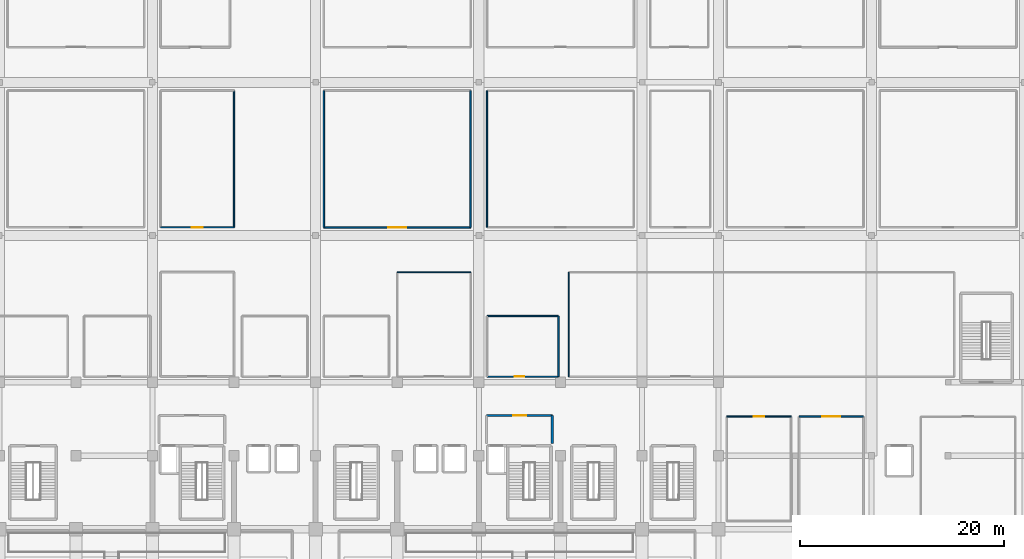
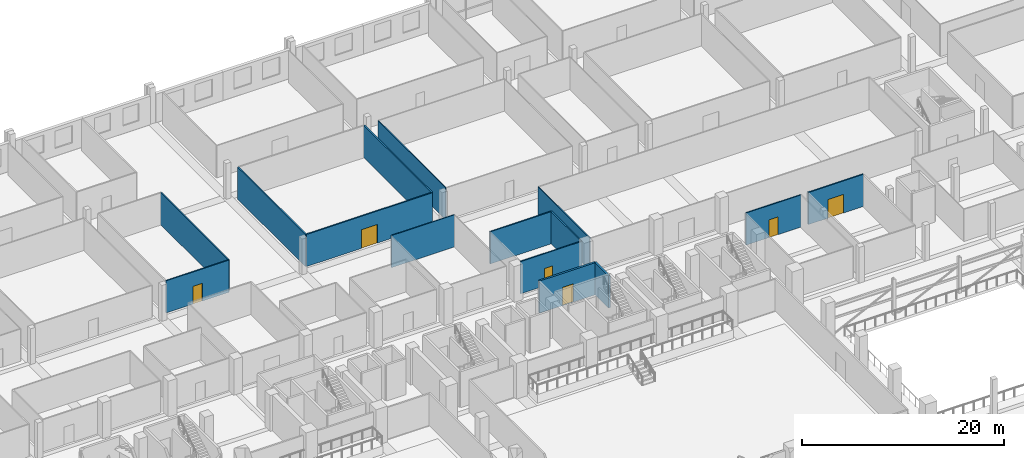
# One storey, part 49 of 68: 15 walls, 6 doors, 6 openings.
"""IFC4 building model written with IfcOpenShell, lengths in metres."""

from ifc_helpers import new_model, si_unit, direction, frame, frame_2d, origin, place, context, subcontext, project, spatial, rectangle, extrude, material, layer, layer_set, type_object, element, fill, save


model = new_model("IFC4")

# Units and contexts
model_context = context("Model", 3, precision=1e-05, world=origin(), true_north=direction((0.0, 1.0)))
body_context = subcontext(model_context, "Body", "Model", "MODEL_VIEW")
ifc_project = project(units=[si_unit("LENGTHUNIT", "METRE"), si_unit("AREAUNIT", "SQUARE_METRE"), si_unit("VOLUMEUNIT", "CUBIC_METRE"), si_unit("PLANEANGLEUNIT", "RADIAN"), si_unit("MASSUNIT", "GRAM", prefix="KILO")], contexts=[model_context])

# Site, building, storey
site_placement = place(None, origin())
site = spatial("IfcSite", under=ifc_project, at=site_placement, CompositionType="ELEMENT")
building_placement = place(site_placement, origin())
building = spatial("IfcBuilding", under=site, at=building_placement, Name="Akrevak Sports Hall", CompositionType="ELEMENT")
storey_placement = place(building_placement, frame((0.0, 0.0, 9.39990234375)))
storey = spatial("IfcBuildingStorey", under=building, at=storey_placement, Name="L02", CompositionType="ELEMENT", Elevation=9.39990234375)

# Walls
ifc_material_1 = material(Name="Sanitary Cubicle Partition", Category="gypsum")
ifc_layer_1 = layer(ifc_material_1, 0.10009765625, Name="Sanitary Cubicle Partition")
ifc_layer_set_1 = layer_set([ifc_layer_1], Name="Sanitary Cubicle Partition")
wall_type_1 = type_object("IfcWallType", Name="ARC-WL-PRT-100", PredefinedType="PARTITIONING", material=ifc_layer_set_1)
wall_1_placement = place(storey_placement, frame((92.800048828125, 84.800048828125, 0.0), z_axis=(0.0, 0.0, 1.0), x_axis=(0.0, 1.0, 0.0)))
element("IfcWall", 1, at=wall_1_placement, inside=storey, type_object=wall_type_1, Name="Interior Partition Sports Federation Training Office L02-8 (W)", PredefinedType="PARTITIONING", context=body_context, shape_type="SweptSolid", body=[
    extrude(rectangle(XDim=13.39990234375, YDim=0.10009765625, at=frame_2d((6.699951171875, 0.0))), origin(), (0.0, 0.0, 1.0), 3.880126953125),
])
wall_2_placement = place(storey_placement, frame((84.0, 80.39990234375, 0.0), z_axis=(0.0, 0.0, 1.0), x_axis=(1.0, 0.0, 0.0)))
element("IfcWall", 2, at=wall_2_placement, inside=storey, type_object=wall_type_1, Name="Interior Partition Upper Equipment Storage L02-2 (N)", PredefinedType="PARTITIONING", context=body_context, shape_type="SweptSolid", body=[
    extrude(rectangle(XDim=7.199951171875, YDim=0.10009765625, at=frame_2d((3.60009765625, 0.0))), origin(), (0.0, 0.0, 1.0), 3.880126953125),
])
ifc_material_2 = material(Name="Lightweight Office Partition", Category="gypsum")
ifc_layer_2 = layer(ifc_material_2, 0.110107421875, Name="Lightweight Office Partition")
ifc_layer_set_2 = layer_set([ifc_layer_2], Name="Lightweight Office Partition")
wall_type_2 = type_object("IfcWallType", Name="ARC-WL-PRT-110", PredefinedType="PARTITIONING", material=ifc_layer_set_2)
wall_3_placement = place(storey_placement, frame((100.800048828125, 70.14990234375, 0.0), z_axis=(0.0, 0.0, 1.0), x_axis=(0.0, 1.0, 0.0)))
element("IfcWall", 3, at=wall_3_placement, inside=storey, type_object=wall_type_2, Name="Interior Partition Upper Equipment Storage L02-3 (W)", PredefinedType="PARTITIONING", context=body_context, shape_type="SweptSolid", body=[
    extrude(rectangle(XDim=10.25, YDim=0.110107421875, at=frame_2d((5.125, 0.0))), origin(), (0.0, 0.0, 1.0), 3.880126953125),
])

# Wall, opening, door
ifc_material_3 = material(Name="Acoustic Metal Stud Partition", Category="gypsum")
ifc_layer_3 = layer(ifc_material_3, 0.1298828125, Name="Acoustic Metal Stud Partition")
ifc_layer_set_3 = layer_set([ifc_layer_3], Name="Acoustic Metal Stud Partition")
wall_type_3 = type_object("IfcWallType", Name="ARC-WL-PRT-130", PredefinedType="PARTITIONING", material=ifc_layer_set_3)
wall_4_placement = place(storey_placement, frame((60.800048828125, 84.800048828125, 0.0), z_axis=(0.0, 0.0, 1.0), x_axis=(1.0, 0.0, 0.0)))
wall_4 = element("IfcWall", 4, at=wall_4_placement, inside=storey, type_object=wall_type_3, Name="Interior Partition Sports Clinic Recovery & Physiotherapy Room L02-6 (S)", PredefinedType="PARTITIONING", context=body_context, shape_type="SweptSolid", body=[
    extrude(rectangle(XDim=7.199951171875, YDim=0.1298828125, at=frame_2d((3.60009765625, 0.0))), origin(), (0.0, 0.0, 1.0), 3.880126953125),
])
opening_1_placement = place(wall_4_placement, frame((3.074951171875, 0.0, 0.0)))
opening_1 = element("IfcOpeningElement", 5, at=opening_1_placement, cuts=wall_4, Name="Opening ID-05", PredefinedType="OPENING", context=body_context, shape_type="SweptSolid", body=[
    extrude(rectangle(XDim=1.050048828125, YDim=2.14990234375, at=frame_2d((0.52490234375, 1.074951171875))), frame((0.0, 0.076904296875, 0.0), z_axis=(0.0, -1.0, 0.0), x_axis=(1.0, 0.0, 0.0)), (0.0, 0.0, 1.0), 0.15380859375),
])
ifc_material_4 = material(Name="Hardwood Oak Acoustic Leaf", Category="wood")
door_type_1 = type_object("IfcDoorType", Name="ARC-DR-OFF-105x215", OperationType="NOTDEFINED", PredefinedType="DOOR", material=ifc_material_4)
door_1_placement = place(opening_1_placement, origin())
door_1 = element("IfcDoor", 6, at=door_1_placement, inside=storey, type_object=door_type_1, Name="Door to Sports Clinic Recovery & Physiotherapy Room L02-6", OperationType="SINGLE_SWING_LEFT", OverallHeight=2.14990234375, OverallWidth=1.050048828125, PredefinedType="DOOR", context=body_context, shape_type="SweptSolid", body=[
    extrude(rectangle(XDim=1.050048828125, YDim=2.14990234375, at=frame_2d((0.52490234375, 1.074951171875))), frame((0.0, 0.02490234375, 0.0), z_axis=(0.0, -1.0, 0.0), x_axis=(1.0, 0.0, 0.0)), (0.0, 0.0, 1.0), 0.050048828125),
])
fill(opening_1, door_1)

# Wall
wall_5_placement = place(storey_placement, frame((68.0, 84.800048828125, 0.0), z_axis=(0.0, 0.0, 1.0), x_axis=(0.0, 1.0, 0.0)))
element("IfcWall", 7, at=wall_5_placement, inside=storey, type_object=wall_type_3, Name="Interior Partition Sports Clinic Recovery & Physiotherapy Room L02-6 (E)", PredefinedType="PARTITIONING", context=body_context, shape_type="SweptSolid", body=[
    extrude(rectangle(XDim=13.39990234375, YDim=0.1298828125, at=frame_2d((6.699951171875, 0.0))), origin(), (0.0, 0.0, 1.0), 3.880126953125),
])

# Wall, opening, door
wall_6_placement = place(storey_placement, frame((116.300048828125, 66.25, 0.0), z_axis=(0.0, 0.0, 1.0), x_axis=(1.0, 0.0, 0.0)))
wall_6 = element("IfcWall", 8, at=wall_6_placement, inside=storey, type_object=wall_type_3, Name="Interior Partition Scoreboard & Broadcast Office L02 (N)", PredefinedType="PARTITIONING", context=body_context, shape_type="SweptSolid", body=[
    extrude(rectangle(XDim=6.300048828125, YDim=0.1298828125, at=frame_2d((3.14990234375, 0.0))), origin(), (0.0, 0.0, 1.0), 3.880126953125),
])
opening_2_placement = place(wall_6_placement, frame((2.625, 0.0, 0.0)))
opening_2 = element("IfcOpeningElement", 9, at=opening_2_placement, cuts=wall_6, Name="Opening ID-05", PredefinedType="OPENING", context=body_context, shape_type="SweptSolid", body=[
    extrude(rectangle(XDim=1.050048828125, YDim=2.14990234375, at=frame_2d((0.52490234375, 1.074951171875))), frame((0.0, 0.076904296875, 0.0), z_axis=(0.0, -1.0, 0.0), x_axis=(1.0, 0.0, 0.0)), (0.0, 0.0, 1.0), 0.15380859375),
])
door_2_placement = place(opening_2_placement, origin())
door_2 = element("IfcDoor", 10, at=door_2_placement, inside=storey, type_object=door_type_1, Name="Door to Scoreboard & Broadcast Office L02", OperationType="SINGLE_SWING_LEFT", OverallHeight=2.14990234375, OverallWidth=1.050048828125, PredefinedType="DOOR", context=body_context, shape_type="SweptSolid", body=[
    extrude(rectangle(XDim=1.050048828125, YDim=2.14990234375, at=frame_2d((0.52490234375, 1.074951171875))), frame((0.0, 0.02490234375, 0.0), z_axis=(0.0, -1.0, 0.0), x_axis=(1.0, 0.0, 0.0)), (0.0, 0.0, 1.0), 0.050048828125),
])
fill(opening_2, door_2)

ifc_material_5 = material(Name="Moisture-Resistant Wet-Area Partition", Category="gypsum")
ifc_layer_4 = layer(ifc_material_5, 0.139892578125, Name="Moisture-Resistant Wet-Area Partition")
ifc_layer_set_4 = layer_set([ifc_layer_4], Name="Moisture-Resistant Wet-Area Partition")
wall_type_4 = type_object("IfcWallType", Name="ARC-WL-PRT-140", PredefinedType="PARTITIONING", material=ifc_layer_set_4)
wall_7_placement = place(storey_placement, frame((92.800048828125, 70.14990234375, 0.0), z_axis=(0.0, 0.0, 1.0), x_axis=(1.0, 0.0, 0.0)))
wall_7 = element("IfcWall", 11, at=wall_7_placement, inside=storey, type_object=wall_type_4, Name="Interior Partition Upper Athletes Shower & Wet Suite L02 (S)", PredefinedType="PARTITIONING", context=body_context, shape_type="SweptSolid", body=[
    extrude(rectangle(XDim=7.0, YDim=0.139892578125, at=frame_2d((3.5, 0.0))), origin(), (0.0, 0.0, 1.0), 3.880126953125),
])
opening_3_placement = place(wall_7_placement, frame((2.72509765625, 0.0, 0.0)))
opening_3 = element("IfcOpeningElement", 12, at=opening_3_placement, cuts=wall_7, Name="Opening ID-08", PredefinedType="OPENING", context=body_context, shape_type="SweptSolid", body=[
    extrude(rectangle(XDim=0.949951171875, YDim=2.10009765625, at=frame_2d((0.47509765625, 1.050048828125))), frame((0.0, 0.08203125, 0.0), z_axis=(0.0, -1.0, 0.0), x_axis=(1.0, 0.0, 0.0)), (0.0, 0.0, 1.0), 0.163818359375),
])
ifc_material_6 = material(Name="High-Pressure Laminate & Aluminium", Category="aluminium")
door_type_2 = type_object("IfcDoorType", Name="ARC-DR-WC-095x210", OperationType="NOTDEFINED", PredefinedType="DOOR", material=ifc_material_6)
door_3_placement = place(opening_3_placement, origin())
door_3 = element("IfcDoor", 13, at=door_3_placement, inside=storey, type_object=door_type_2, Name="Door to Upper Athletes Shower & Wet Suite L02", OperationType="SINGLE_SWING_LEFT", OverallHeight=2.10009765625, OverallWidth=0.949951171875, PredefinedType="DOOR", context=body_context, shape_type="SweptSolid", body=[
    extrude(rectangle(XDim=0.949951171875, YDim=2.10009765625, at=frame_2d((0.47509765625, 1.050048828125))), frame((0.0, 0.02490234375, 0.0), z_axis=(0.0, -1.0, 0.0), x_axis=(1.0, 0.0, 0.0)), (0.0, 0.0, 1.0), 0.050048828125),
])
fill(opening_3, door_3)

# Walls
wall_8_placement = place(storey_placement, frame((92.800048828125, 76.10009765625, 0.0), z_axis=(0.0, 0.0, 1.0), x_axis=(1.0, 0.0, 0.0)))
element("IfcWall", 14, at=wall_8_placement, inside=storey, type_object=wall_type_4, Name="Interior Partition Upper Athletes Shower & Wet Suite L02 (N)", PredefinedType="PARTITIONING", context=body_context, shape_type="SweptSolid", body=[
    extrude(rectangle(XDim=7.0, YDim=0.139892578125, at=frame_2d((3.5, 0.0))), origin(), (0.0, 0.0, 1.0), 3.880126953125),
])
wall_9_placement = place(storey_placement, frame((99.800048828125, 70.14990234375, 0.0), z_axis=(0.0, 0.0, 1.0), x_axis=(0.0, 1.0, 0.0)))
element("IfcWall", 15, at=wall_9_placement, inside=storey, type_object=wall_type_4, Name="Interior Partition Upper Athletes Shower & Wet Suite L02 (E)", PredefinedType="PARTITIONING", context=body_context, shape_type="SweptSolid", body=[
    extrude(rectangle(XDim=5.9501953125, YDim=0.139892578125, at=frame_2d((2.97509765625, 0.0))), origin(), (0.0, 0.0, 1.0), 3.880126953125),
])

# Wall, opening, door
ifc_material_7 = material(Name="Double Stud Acoustic Gypsum Partition", Category="gypsum")
ifc_layer_5 = layer(ifc_material_7, 0.14990234375, Name="Double Stud Acoustic Gypsum Partition")
ifc_layer_set_5 = layer_set([ifc_layer_5], Name="Double Stud Acoustic Gypsum Partition")
wall_type_5 = type_object("IfcWallType", Name="ARC-WL-PRT-150", PredefinedType="PARTITIONING", material=ifc_layer_set_5)
wall_10_placement = place(storey_placement, frame((76.800048828125, 84.800048828125, 0.0), z_axis=(0.0, 0.0, 1.0), x_axis=(1.0, 0.0, 0.0)))
wall_10 = element("IfcWall", 16, at=wall_10_placement, inside=storey, type_object=wall_type_5, Name="Interior Partition Athletic Gear & Equipment Storage L02-7 (S)", PredefinedType="PARTITIONING", context=body_context, shape_type="SweptSolid", body=[
    extrude(rectangle(XDim=14.39990234375, YDim=0.14990234375, at=frame_2d((7.199951171875, 0.0))), origin(), (0.0, 0.0, 1.0), 3.880126953125),
])
opening_4_placement = place(wall_10_placement, frame((6.300048828125, 0.0, 0.0)))
opening_4 = element("IfcOpeningElement", 17, at=opening_4_placement, cuts=wall_10, Name="Opening ID-02", PredefinedType="OPENING", context=body_context, shape_type="SweptSolid", body=[
    extrude(rectangle(XDim=1.800048828125, YDim=2.25, at=frame_2d((0.89990234375, 1.125))), frame((0.0, 0.0869140625, 0.0), z_axis=(0.0, -1.0, 0.0), x_axis=(1.0, 0.0, 0.0)), (0.0, 0.0, 1.0), 0.173828125),
])
ifc_material_8 = material(Name="Hardwood Oak & Safety Glass", Category="wood")
door_type_3 = type_object("IfcDoorType", Name="ARC-DR-HALL-180x225", OperationType="DOUBLE_DOOR_SINGLE_SWING", PredefinedType="DOOR", material=ifc_material_8)
door_4_placement = place(opening_4_placement, origin())
door_4 = element("IfcDoor", 18, at=door_4_placement, inside=storey, type_object=door_type_3, Name="Door to Athletic Gear & Equipment Storage L02-7", OperationType="DOUBLE_DOOR_SINGLE_SWING", OverallHeight=2.25, OverallWidth=1.800048828125, PredefinedType="DOOR", context=body_context, shape_type="SweptSolid", body=[
    extrude(rectangle(XDim=1.800048828125, YDim=2.25, at=frame_2d((0.89990234375, 1.125))), frame((0.0, 0.02490234375, 0.0), z_axis=(0.0, -1.0, 0.0), x_axis=(1.0, 0.0, 0.0)), (0.0, 0.0, 1.0), 0.050048828125),
])
fill(opening_4, door_4)

# Walls
for number, where, z_axis, x_axis, name in (
    (19, (76.800048828125, 84.800048828125, 0.0), (0.0, 0.0, 1.0), (0.0, 1.0, 0.0), "Interior Partition Athletic Gear & Equipment Storage L02-7 (W)"),
    (20, (91.199951171875, 84.800048828125, 0.0), (0.0, 0.0, 1.0), (0.0, 1.0, 0.0), "Interior Partition Athletic Gear & Equipment Storage L02-7 (E)"),
):
    element("IfcWall", number, at=place(storey_placement, frame(where, z_axis=z_axis, x_axis=x_axis)), inside=storey, type_object=wall_type_5, Name=name, PredefinedType="PARTITIONING", context=body_context, shape_type="SweptSolid", body=[
        extrude(rectangle(XDim=13.39990234375, YDim=0.14990234375, at=frame_2d((6.699951171875, 0.0))), origin(), (0.0, 0.0, 1.0), 3.880126953125),
    ])

# Wall, opening, door
wall_11_placement = place(storey_placement, frame((123.39990234375, 66.25, 0.0), z_axis=(0.0, 0.0, 1.0), x_axis=(1.0, 0.0, 0.0)))
wall_11 = element("IfcWall", 21, at=wall_11_placement, inside=storey, type_object=wall_type_5, Name="Interior Partition Upper Apparatus Storage L02 (N)", PredefinedType="PARTITIONING", context=body_context, shape_type="SweptSolid", body=[
    extrude(rectangle(XDim=6.300048828125, YDim=0.14990234375, at=frame_2d((3.14990234375, 0.0))), origin(), (0.0, 0.0, 1.0), 3.880126953125),
])
opening_5_placement = place(wall_11_placement, frame((2.25, 0.0, 0.0)))
opening_5 = element("IfcOpeningElement", 22, at=opening_5_placement, cuts=wall_11, Name="Opening ID-02", PredefinedType="OPENING", context=body_context, shape_type="SweptSolid", body=[
    extrude(rectangle(XDim=1.800048828125, YDim=2.25, at=frame_2d((0.89990234375, 1.125))), frame((0.0, 0.0869140625, 0.0), z_axis=(0.0, -1.0, 0.0), x_axis=(1.0, 0.0, 0.0)), (0.0, 0.0, 1.0), 0.173828125),
])
door_5_placement = place(opening_5_placement, origin())
door_5 = element("IfcDoor", 23, at=door_5_placement, inside=storey, type_object=door_type_3, Name="Door to Upper Apparatus Storage L02", OperationType="DOUBLE_DOOR_SINGLE_SWING", OverallHeight=2.25, OverallWidth=1.800048828125, PredefinedType="DOOR", context=body_context, shape_type="SweptSolid", body=[
    extrude(rectangle(XDim=1.800048828125, YDim=2.25, at=frame_2d((0.89990234375, 1.125))), frame((0.0, 0.02490234375, 0.0), z_axis=(0.0, -1.0, 0.0), x_axis=(1.0, 0.0, 0.0)), (0.0, 0.0, 1.0), 0.050048828125),
])
fill(opening_5, door_5)

ifc_material_9 = material(Name="Concrete C40/50", Category="concrete")
ifc_layer_6 = layer(ifc_material_9, 0.219970703125, Name="Concrete C40/50")
ifc_layer_set_6 = layer_set([ifc_layer_6], Name="Concrete C40/50")
wall_type_6 = type_object("IfcWallType", Name="ARC-WL-PRT-220", PredefinedType="PARTITIONING", material=ifc_layer_set_6)
wall_12_placement = place(storey_placement, frame((92.75, 66.35009765625, 0.0), z_axis=(0.0, 0.0, 1.0), x_axis=(1.0, 0.0, 0.0)))
wall_12 = element("IfcWall", 24, at=wall_12_placement, inside=storey, type_object=wall_type_6, Name="Interior Partition Firefighting Lobby East L02 (N)", PredefinedType="PARTITIONING", context=body_context, shape_type="SweptSolid", body=[
    extrude(rectangle(XDim=6.449951171875, YDim=0.219970703125, at=frame_2d((3.22509765625, 0.0))), origin(), (0.0, 0.0, 1.0), 3.880126953125),
])
opening_6_placement = place(wall_12_placement, frame((2.625, 0.0, 0.0)))
opening_6 = element("IfcOpeningElement", 25, at=opening_6_placement, cuts=wall_12, Name="Opening FD-01", PredefinedType="OPENING", context=body_context, shape_type="SweptSolid", body=[
    extrude(rectangle(XDim=1.25, YDim=2.199951171875, at=frame_2d((0.625, 1.10009765625))), frame((0.0, 0.1220703125, 0.0), z_axis=(0.0, -1.0, 0.0), x_axis=(1.0, 0.0, 0.0)), (0.0, 0.0, 1.0), 0.243896484375),
])
ifc_material_10 = material(Name="Fire-Rated Galvanized Door Steel", Category="steel")
door_type_4 = type_object("IfcDoorType", Name="ARC-DR-FFL-125x220", OperationType="NOTDEFINED", PredefinedType="DOOR", material=ifc_material_10)
door_6_placement = place(opening_6_placement, frame((1.25, 0.0, 0.0), z_axis=(0.0, 0.0, 1.0), x_axis=(-1.0, 0.0, 0.0)))
door_6 = element("IfcDoor", 26, at=door_6_placement, inside=storey, type_object=door_type_4, Name="Door to Firefighting Lobby East L02", OperationType="SINGLE_SWING_LEFT", OverallHeight=2.199951171875, OverallWidth=1.25, PredefinedType="DOOR", context=body_context, shape_type="SweptSolid", body=[
    extrude(rectangle(XDim=1.25, YDim=2.199951171875, at=frame_2d((0.625, 1.10009765625))), frame((0.0, 0.02490234375, 0.0), z_axis=(0.0, -1.0, 0.0), x_axis=(1.0, 0.0, 0.0)), (0.0, 0.0, 1.0), 0.050048828125),
])
fill(opening_6, door_6)

# Wall
wall_13_placement = place(storey_placement, frame((99.199951171875, 63.60009765625, 0.0), z_axis=(0.0, 0.0, 1.0), x_axis=(0.0, 1.0, 0.0)))
element("IfcWall", 27, at=wall_13_placement, inside=storey, type_object=wall_type_6, Name="Interior Partition Firefighting Lobby East L02 (E)", PredefinedType="PARTITIONING", context=body_context, shape_type="SweptSolid", body=[
    extrude(rectangle(XDim=2.75, YDim=0.219970703125, at=frame_2d((1.375, 0.0))), origin(), (0.0, 0.0, 1.0), 3.880126953125),
])

save(model, "model.ifc")
